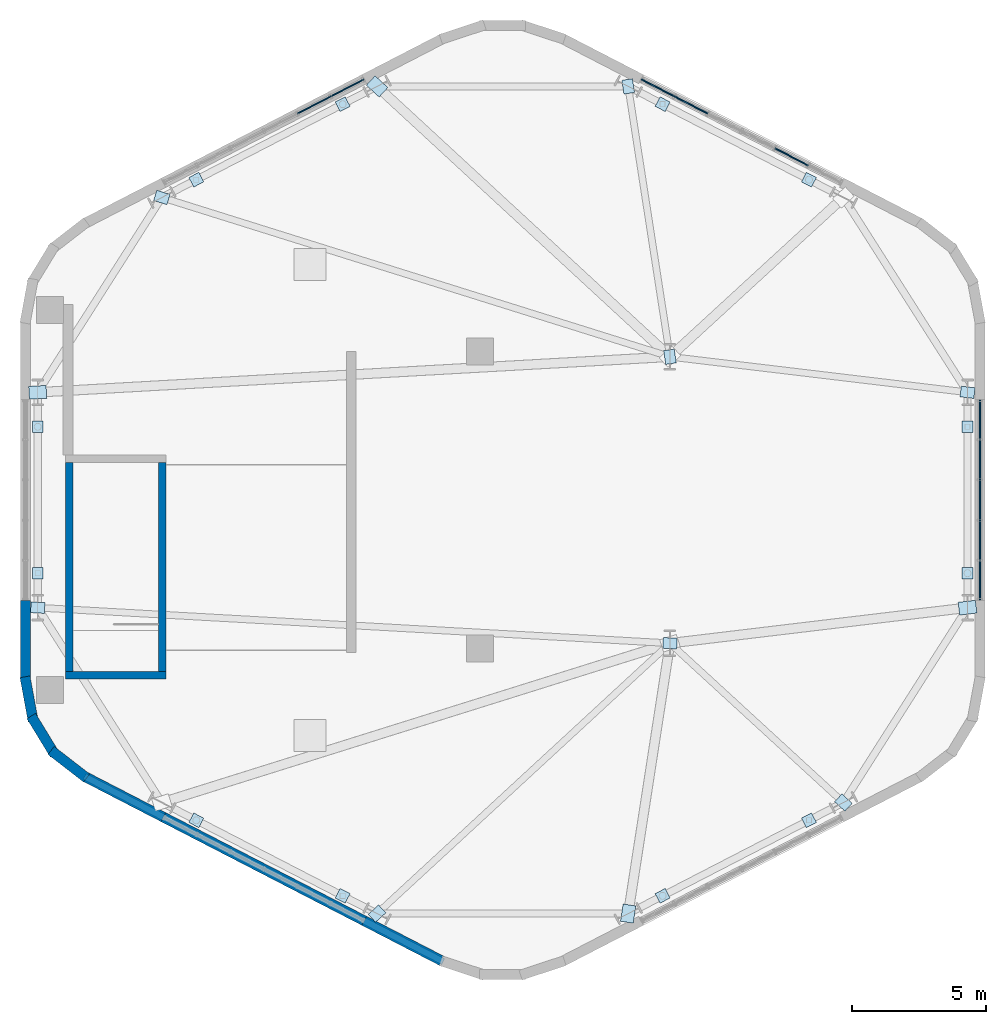
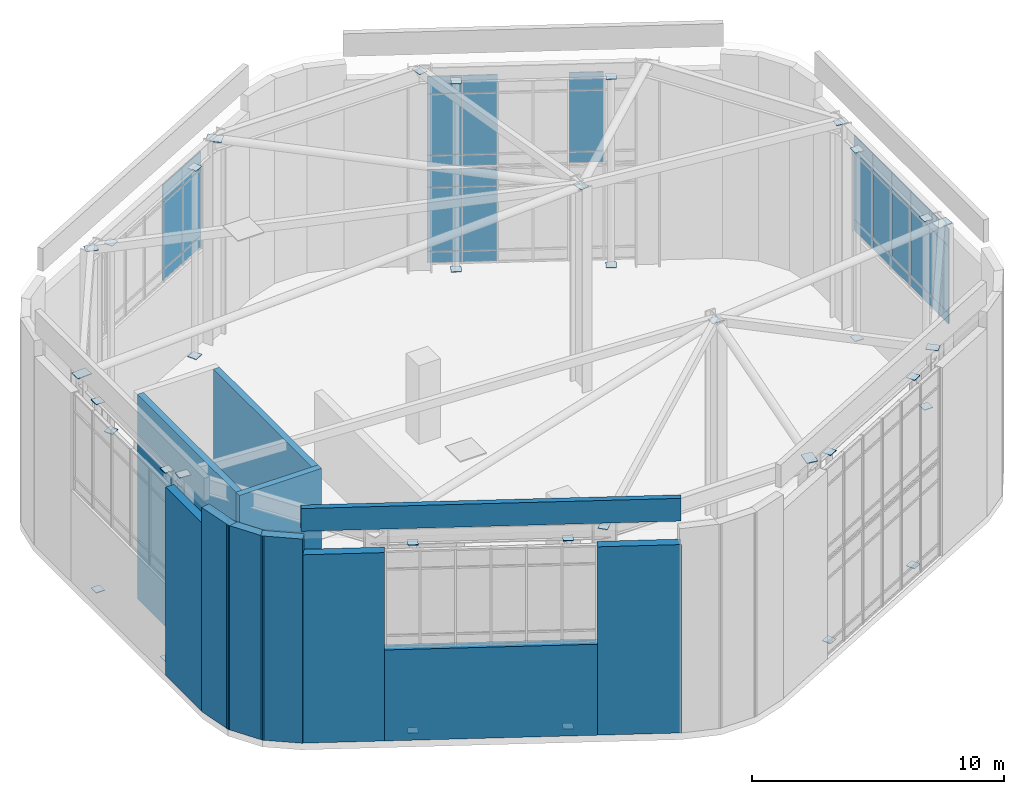
# One storey, part 21 of 23: 72 plates, 11 walls, 4 elements without a shape of their own.
"""IFC4 building model written with IfcOpenShell, lengths in metres."""

import ifcopenshell
import ifcopenshell.guid

model = None  # the IFC model being written
_history = None  # IfcOwnerHistory: only IFC2X3 demands one
_inside = {}  # id of a spatial element -> (the spatial element, [elements in it])
_under = {}  # id of a project, library or spatial element -> (it, [spatial elements below it])
_declared = {}  # id of a project -> (the project, [libraries it declares])
_typed = {}  # id of a type object -> (the type object, [elements of that type])
_made_of = {}  # id of a material, layer set ... -> (it, [elements and type objects made of it])


def new_model(schema):
    """Start an empty IFC model of exactly this schema.

    Asked for "IFC4X3", IfcOpenShell would pick the latest addendum, in which some entities
    have other attributes; the version numbers below select the first issue.
    IFC2X3 requires an IfcOwnerHistory on every rooted entity: one is made here for all.
    """
    global model, _history
    if schema == "IFC4X3":
        model = ifcopenshell.file(schema_version=(4, 3, 0, 0))
    else:
        model = ifcopenshell.file(schema=schema)
    _inside.clear()
    _under.clear()
    _declared.clear()
    _typed.clear()
    _made_of.clear()
    _history = None
    if model.schema == "IFC2X3":
        org = make("IfcOrganization", Name="unknown")
        user = make(
            "IfcPersonAndOrganization",
            ThePerson=make("IfcPerson", FamilyName="unknown"),
            TheOrganization=org,
        )
        app = make(
            "IfcApplication",
            ApplicationDeveloper=org,
            Version="unknown",
            ApplicationFullName="unknown",
            ApplicationIdentifier="unknown",
        )
        _history = make(
            "IfcOwnerHistory",
            OwningUser=user,
            OwningApplication=app,
            ChangeAction="ADDED",
            CreationDate=0,
        )
    return model


def make(cls, **values):
    """One entity of the class cls with the attributes given. An attribute that is None is left unset."""
    return model.create_entity(
        cls, **{name: value for name, value in values.items() if value is not None}
    )


def rooted(cls, **values):
    """An entity with a GlobalId (a new one), such as an element, a storey or a relation."""
    return make(cls, GlobalId=ifcopenshell.guid.new(), OwnerHistory=_history, **values)


def si_unit(unit_type, name, prefix=None):
    """IfcSIUnit, for example si_unit("LENGTHUNIT", "METRE", prefix="MILLI")."""
    return make("IfcSIUnit", UnitType=unit_type, Prefix=prefix, Name=name)


def assignment(units):
    """IfcUnitAssignment: the units of a project."""
    return None if units is None else make("IfcUnitAssignment", Units=units)


def point(xyz):
    """IfcCartesianPoint."""
    return None if xyz is None else make("IfcCartesianPoint", Coordinates=xyz)


def direction(xyz):
    """IfcDirection."""
    return None if xyz is None else make("IfcDirection", DirectionRatios=xyz)


def frame(location, z_axis=None, x_axis=None):
    """IfcAxis2Placement3D, a coordinate frame: its origin and axes. An axis left out is left unset."""
    return make(
        "IfcAxis2Placement3D",
        Location=point(location),
        Axis=direction(z_axis),
        RefDirection=direction(x_axis),
    )


def frame_2d(location, x_axis=None):
    """IfcAxis2Placement2D, a coordinate frame in the plane: its origin and x axis."""
    return make(
        "IfcAxis2Placement2D", Location=point(location), RefDirection=direction(x_axis)
    )


def origin():
    """The frame at (0, 0, 0) with its axes left unset."""
    return frame((0.0, 0.0, 0.0))


def origin_2d():
    """The frame at (0, 0) in the plane with its x axis left unset."""
    return frame_2d((0.0, 0.0))


def place(relative_to, where):
    """IfcLocalPlacement: puts the frame where relative to a parent placement (None: the world)."""
    return make(
        "IfcLocalPlacement", PlacementRelTo=relative_to, RelativePlacement=where
    )


def context(
    kind, dimensions, precision=None, world=None, true_north=None, identifier=None
):
    """IfcGeometricRepresentationContext, for example the 3D "Model" context."""
    return make(
        "IfcGeometricRepresentationContext",
        ContextIdentifier=identifier,
        ContextType=kind,
        CoordinateSpaceDimension=dimensions,
        Precision=precision,
        WorldCoordinateSystem=world,
        TrueNorth=true_north,
    )


def subcontext(parent, identifier, kind, view, scale=None):
    """IfcGeometricRepresentationSubContext, for example "Body" below "Model"."""
    return make(
        "IfcGeometricRepresentationSubContext",
        ContextIdentifier=identifier,
        ContextType=kind,
        ParentContext=parent,
        TargetScale=scale,
        TargetView=view,
    )


def project(units=None, contexts=None):
    """IfcProject with its units and contexts."""
    return rooted(
        "IfcProject",
        Name="project",
        RepresentationContexts=contexts,
        UnitsInContext=assignment(units),
    )


def spatial(cls, under=None, at=None, **own):
    """A site, building, storey or space (cls), placed at a placement, below another one or the project."""
    s = rooted(cls, ObjectPlacement=at, **own)
    if under is not None:
        _under.setdefault(under.id(), (under, []))[1].append(s)
    return s


def profile(cls, at=None, kind="AREA", **sizes):
    """A parametric profile (cls). Its sizes go by their IFC names, for example OverallWidth=200.0."""
    return make(cls, ProfileType=kind, Position=at, **sizes)


def rectangle(**sizes):
    """IfcRectangleProfileDef."""
    return profile("IfcRectangleProfileDef", **sizes)


def extrude(swept, where, along, depth):
    """IfcExtrudedAreaSolid: the profile swept, set in the frame where, extruded along a direction by depth."""
    return make(
        "IfcExtrudedAreaSolid",
        SweptArea=swept,
        Position=where,
        ExtrudedDirection=direction(along),
        Depth=depth,
    )


def shape(context_of_items, identifier, shape_type, items):
    """IfcShapeRepresentation: the items that make up one representation, for example the "Body"."""
    return make(
        "IfcShapeRepresentation",
        ContextOfItems=context_of_items,
        RepresentationIdentifier=identifier,
        RepresentationType=shape_type,
        Items=items,
    )


def material(Name=None, Category=None):
    """IfcMaterial."""
    return make("IfcMaterial", Name=Name, Category=Category)


def layer(
    of_material, thickness, ventilated=None, Name=None, Category=None, Priority=None
):
    """IfcMaterialLayer: one layer of a wall or slab, of a material (None: an air gap)."""
    return make(
        "IfcMaterialLayer",
        Material=of_material,
        LayerThickness=thickness,
        IsVentilated=ventilated,
        Name=Name,
        Category=Category,
        Priority=Priority,
    )


def layer_set(layers, Name=None):
    """IfcMaterialLayerSet."""
    return make("IfcMaterialLayerSet", MaterialLayers=layers, LayerSetName=Name)


def made_of(thing, what):
    """Note that an element or type object is made of a material, layer set ...; save() writes the relation."""
    if what is not None:
        _made_of.setdefault(what.id(), (what, []))[1].append(thing)
    return thing


def type_object(cls, material=None, **own):
    """A type object (cls), such as IfcWallType, which elements share."""
    return made_of(rooted(cls, **own), material)


def element(
    cls,
    number,
    at=None,
    inside=None,
    cuts=None,
    type_object=None,
    material=None,
    context=None,
    identifier="Body",
    shape_type=None,
    held_by="IfcProductDefinitionShape",
    body=None,
    shapes=None,
    **own,
):
    """One element of the class cls, such as IfcWall. Its Tag is "e" and its number.

    at: its placement. inside: the storey or other place that contains it. cuts: it is an
    opening in that element (IfcRelVoidsElement). A single representation is given by context,
    identifier, shape_type and body (its items); several are given by shapes. held_by: the class
    of the entity that holds the representations. save() writes the other relations.
    """
    e = rooted(cls, Tag="e%d" % number, ObjectPlacement=at, **own)
    if body is not None:
        shapes = [shape(context, identifier, shape_type, body)]
    if shapes is not None:
        e.Representation = make(held_by, Representations=shapes)
    if inside is not None:
        _inside.setdefault(inside.id(), (inside, []))[1].append(e)
    if cuts is not None:
        rooted(
            "IfcRelVoidsElement", RelatingBuildingElement=cuts, RelatedOpeningElement=e
        )
    if type_object is not None:
        _typed.setdefault(type_object.id(), (type_object, []))[1].append(e)
    return made_of(e, material)


def aggregate(whole, parts):
    """IfcRelAggregates: a whole, such as a stair, and the parts it consists of."""
    return rooted("IfcRelAggregates", RelatingObject=whole, RelatedObjects=parts)


def save(model, path):
    """Write the relations noted so far, then the file.

    IfcRelAggregates (storeys below a building ...), IfcRelContainedInSpatialStructure (elements
    in a storey), IfcRelDefinesByType, IfcRelAssociatesMaterial and IfcRelDeclares: one each for
    every whole, place, type object, material and project.
    """
    for whole, parts in _under.values():
        aggregate(whole, parts)
    for where, things in _inside.values():
        rooted(
            "IfcRelContainedInSpatialStructure",
            RelatedElements=things,
            RelatingStructure=where,
        )
    for kind, things in _typed.values():
        rooted("IfcRelDefinesByType", RelatedObjects=things, RelatingType=kind)
    for what, things in _made_of.values():
        rooted("IfcRelAssociatesMaterial", RelatedObjects=things, RelatingMaterial=what)
    for by, libraries in _declared.values():
        rooted("IfcRelDeclares", RelatingContext=by, RelatedDefinitions=libraries)
    model.write(path)


model = new_model("IFC4")

# Units and contexts
model_context = context("Model", 3, precision=1e-05, world=origin(), true_north=direction((0.0, 1.0)))
body_context = subcontext(model_context, "Body", "Model", "MODEL_VIEW")
ifc_project = project(units=[si_unit("LENGTHUNIT", "METRE"), si_unit("AREAUNIT", "SQUARE_METRE"), si_unit("VOLUMEUNIT", "CUBIC_METRE"), si_unit("PLANEANGLEUNIT", "RADIAN"), si_unit("MASSUNIT", "GRAM", prefix="KILO"), si_unit("THERMODYNAMICTEMPERATUREUNIT", "KELVIN"), si_unit("POWERUNIT", "WATT")], contexts=[model_context])

# Site, building, storey
site_placement = place(None, origin())
site = spatial("IfcSite", under=ifc_project, at=site_placement, CompositionType="ELEMENT")
building_placement = place(site_placement, origin())
building = spatial("IfcBuilding", under=site, at=building_placement, Name="Skarre Station Tower", CompositionType="ELEMENT")
storey_placement = place(building_placement, frame((0.0, 0.0, 291.300048828125)))
storey = spatial("IfcBuildingStorey", under=building, at=storey_placement, Name="RF", CompositionType="ELEMENT", Elevation=291.300048828125)

# Plates
ifc_material_1 = material(Name="Steel ASTM A572 Grade 50", Category="steel")
ifc_layer_1 = layer(ifc_material_1, 0.028076171875, Name="Steel ASTM A572 Grade 50")
ifc_layer_set_1 = layer_set([ifc_layer_1], Name="Steel ASTM A572 Grade 50")
plate_type_1 = type_object("IfcPlateType", Name="Belt Truss End Cap Plate 520x400x28", PredefinedType="USERDEFINED", material=ifc_layer_set_1)
for number, where, z_axis, x_axis, name in (
    (1, (44.64111328125, 35.9619140625, 0.0), (0.0, 0.0, 1.0), (-0.888601222224, 0.458680572798, 0.0), "RF Crown Post Base Plate 1A"),
    (2, (44.64111328125, 35.9619140625, 9.10595703125), (0.0, 0.0, 1.0), (-0.888601222224, 0.458680572798, 0.0), "RF Crown Post Head Plate 1A"),
    (3, (39.175048828125, 38.782958984375, 0.0), (0.0, 0.0, 1.0), (-0.888601222224, 0.458680572798, 0.0), "RF Crown Post Base Plate 1B"),
    (4, (39.175048828125, 38.782958984375, 9.10595703125), (0.0, 0.0, 1.0), (-0.888601222224, 0.458680572798, 0.0), "RF Crown Post Head Plate 1B"),
    (5, (27.22509765625, 38.782958984375, 0.0), (0.0, 0.0, 1.0), (-0.888601222224, -0.458680572798, 0.0), "RF Crown Post Base Plate 3A"),
    (6, (27.22509765625, 38.782958984375, 9.10595703125), (0.0, 0.0, 1.0), (-0.888601222224, -0.458680572798, 0.0), "RF Crown Post Head Plate 3A"),
    (7, (21.759033203125, 35.9619140625, 0.0), (0.0, 0.0, 1.0), (-0.888601222224, -0.458680572798, 0.0), "RF Crown Post Base Plate 3B"),
    (8, (21.759033203125, 35.9619140625, 9.10595703125), (0.0, 0.0, 1.0), (-0.888601222224, -0.458680572798, 0.0), "RF Crown Post Head Plate 3B"),
    (9, (15.8369140625, 26.73388671875, 0.0), (0.0, 0.0, 1.0), (0.0, -1.0, 0.0), "RF Crown Post Base Plate 5A"),
    (10, (15.8369140625, 26.73388671875, 9.10595703125), (0.0, 0.0, 1.0), (0.0, -1.0, 0.0), "RF Crown Post Head Plate 5A"),
    (11, (15.8369140625, 21.26611328125, 0.0), (0.0, 0.0, 1.0), (0.0, -1.0, 0.0), "RF Crown Post Base Plate 5B"),
    (12, (15.8369140625, 21.26611328125, 9.10595703125), (0.0, 0.0, 1.0), (0.0, -1.0, 0.0), "RF Crown Post Head Plate 5B"),
    (13, (21.759033203125, 12.0380859375, 0.0), (0.0, 0.0, 1.0), (0.888601222224, -0.458680572798, 0.0), "RF Crown Post Base Plate 7A"),
    (14, (21.759033203125, 12.0380859375, 9.10595703125), (0.0, 0.0, 1.0), (0.888601222224, -0.458680572798, 0.0), "RF Crown Post Head Plate 7A"),
    (15, (27.22509765625, 9.217041015625, 0.0), (0.0, 0.0, 1.0), (0.888601222224, -0.458680572798, 0.0), "RF Crown Post Base Plate 7B"),
    (16, (27.22509765625, 9.217041015625, 9.10595703125), (0.0, 0.0, 1.0), (0.888601222224, -0.458680572798, 0.0), "RF Crown Post Head Plate 7B"),
    (17, (39.175048828125, 9.217041015625, 0.0), (0.0, 0.0, 1.0), (0.888601222224, 0.458680572798, 0.0), "RF Crown Post Base Plate 9A"),
    (18, (39.175048828125, 9.217041015625, 9.10595703125), (0.0, 0.0, 1.0), (0.888601222224, 0.458680572798, 0.0), "RF Crown Post Head Plate 9A"),
    (19, (44.64111328125, 12.0380859375, 0.0), (0.0, 0.0, 1.0), (0.888601222224, 0.458680572798, 0.0), "RF Crown Post Base Plate 9B"),
    (20, (44.64111328125, 12.0380859375, 9.10595703125), (0.0, 0.0, 1.0), (0.888601222224, 0.458680572798, 0.0), "RF Crown Post Head Plate 9B"),
    (21, (50.56298828125, 21.26611328125, 0.0), (0.0, 0.0, 1.0), (0.0, 1.0, 0.0), "RF Crown Post Base Plate 11A"),
    (22, (50.56298828125, 21.26611328125, 9.10595703125), (0.0, 0.0, 1.0), (0.0, 1.0, 0.0), "RF Crown Post Head Plate 11A"),
    (23, (50.56298828125, 26.73388671875, 0.0), (0.0, 0.0, 1.0), (0.0, 1.0, 0.0), "RF Crown Post Base Plate 11B"),
    (24, (50.56298828125, 26.73388671875, 9.10595703125), (0.0, 0.0, 1.0), (0.0, 1.0, 0.0), "RF Crown Post Head Plate 11B"),
):
    element("IfcPlate", number, at=place(storey_placement, frame(where, z_axis=z_axis, x_axis=x_axis)), inside=storey, type_object=plate_type_1, Name=name, ObjectType="STIFFENER_PLATE", PredefinedType="USERDEFINED", context=body_context, shape_type="SweptSolid", body=[
        extrude(rectangle(XDim=0.419921875, YDim=0.39990234375, at=origin_2d()), origin(), (0.0, 0.0, 1.0), 0.028076171875),
    ])
for number, where, z_axis, x_axis, name in (
    (25, (39.449951171875, 29.35009765625, 9.666015625), (0.0, 0.0, 1.0), (-0.152778858862, 0.988260401051, 0.0), "RF Crown Purlin Spine Plate 2"),
    (26, (37.888916015625, 39.447021484375, 9.666015625), (0.0, 0.0, 1.0), (-0.152778858862, 0.988260401051, 0.0), "RF Crown Purlin Perimeter Plate 2"),
    (27, (20.472900390625, 35.298095703125, 9.666015625), (0.0, 0.0, 1.0), (-0.954224669469, 0.299090755753, 0.0), "RF Crown Purlin Perimeter Plate 4"),
    (28, (39.449951171875, 18.64990234375, 9.666015625), (0.0, 0.0, 1.0), (-0.998420237469, 0.056187448889, 0.0), "RF Crown Purlin Spine Plate 6"),
    (29, (15.8369140625, 19.97900390625, 9.666015625), (0.0, 0.0, 1.0), (-0.998420237469, 0.056187448889, 0.0), "RF Crown Purlin Perimeter Plate 6"),
    (30, (28.510986328125, 8.552978515625, 9.666015625), (0.0, 0.0, 1.0), (-0.734819899034, -0.678262276692, 0.0), "RF Crown Purlin Perimeter Plate 8"),
    (31, (45.927001953125, 12.701904296875, 9.666015625), (0.0, 0.0, 1.0), (0.736545846338, -0.676387622775, 0.0), "RF Crown Purlin Perimeter Plate 10"),
    (32, (50.56298828125, 28.02099609375, 9.666015625), (0.0, 0.0, 1.0), (0.992924116831, -0.118750571435, 0.0), "RF Crown Purlin Perimeter Plate 12"),
):
    element("IfcPlate", number, at=place(storey_placement, frame(where, z_axis=z_axis, x_axis=x_axis)), inside=storey, type_object=plate_type_1, Name=name, ObjectType="STIFFENER_PLATE", PredefinedType="USERDEFINED", context=body_context, shape_type="SweptSolid", body=[
        extrude(rectangle(XDim=0.52001953125, YDim=0.39990234375, at=origin_2d()), origin(), (0.0, 0.0, 1.0), 0.028076171875),
    ])

# Curtain wall, plates
ifc_material_2 = material(Name="Thermally Broken Bronze-Anodized Aluminium & Triple Low-E Glass", Category="aluminium")
ifc_layer_2 = layer(ifc_material_2, 0.179931640625, Name="Thermally Broken Bronze-Anodized Aluminium & Triple Low-E Glass")
ifc_layer_set_2 = layer_set([ifc_layer_2], Name="Thermally Broken Bronze-Anodized Aluminium & Triple Low-E Glass")
curtain_wall_type = type_object("IfcCurtainWallType", Name="Nordic Bronze Crown Lantern Stick Curtain Wall", PredefinedType="NOTDEFINED", material=ifc_layer_set_2)
curtain_wall_1_placement = place(storey_placement, origin())
curtain_wall_1 = element("IfcCurtainWall", 33, at=curtain_wall_1_placement, inside=storey, type_object=curtain_wall_type, Name="RF Crown Lantern Lower Facet 0 Curtain Wall", PredefinedType="NOTDEFINED")
ifc_material_3 = material(Name="Insulated Bronze Anodized Aluminium Spandrel", Category="aluminium")
ifc_layer_3 = layer(ifc_material_3, 0.052001953125, Name="Insulated Bronze Anodized Aluminium Spandrel")
ifc_layer_set_3 = layer_set([ifc_layer_3], Name="Insulated Bronze Anodized Aluminium Spandrel")
plate_type_2 = type_object("IfcPlateType", Name="Bronze Insulated Spandrel Sheet Panel 52", PredefinedType="SHEET", material=ifc_layer_set_3)
plate_1_placement = place(storey_placement, frame((38.992919921875, 39.39404296875, 0.05224609375), z_axis=(0.0, 0.0, 1.0), x_axis=(0.888649250269, -0.458587516181, 0.0)))
plate_1 = element("IfcPlate", 34, at=plate_1_placement, type_object=plate_type_2, Name="RF Crown Lantern Lower Facet 0 Curtain Wall Spandrel Panel 1-1", PredefinedType="SHEET", context=body_context, shape_type="SweptSolid", body=[
    extrude(rectangle(XDim=1.383056640625, YDim=0.052001953125, at=origin_2d()), origin(), (0.0, 0.0, 1.0), 0.535888671875),
])
plate_2_placement = place(storey_placement, frame((40.243896484375, 38.7490234375, 0.05224609375), z_axis=(0.0, 0.0, 1.0), x_axis=(0.888649250269, -0.458587516181, 0.0)))
plate_2 = element("IfcPlate", 35, at=plate_2_placement, type_object=plate_type_2, Name="RF Crown Lantern Lower Facet 0 Curtain Wall Spandrel Panel 2-1", PredefinedType="SHEET", context=body_context, shape_type="SweptSolid", body=[
    extrude(rectangle(XDim=1.383056640625, YDim=0.052001953125, at=origin_2d()), origin(), (0.0, 0.0, 1.0), 0.535888671875),
])

curtain_wall_2_placement = place(storey_placement, origin())
curtain_wall_2 = element("IfcCurtainWall", 36, at=curtain_wall_2_placement, inside=storey, type_object=curtain_wall_type, Name="RF Crown Lantern Upper Facet 0 Curtain Wall", PredefinedType="NOTDEFINED")
plate_3_placement = place(storey_placement, frame((38.992919921875, 39.39404296875, 4.7021484375), z_axis=(0.0, 0.0, 1.0), x_axis=(0.888649250269, -0.458587516181, 0.0)))
plate_3 = element("IfcPlate", 37, at=plate_3_placement, type_object=plate_type_2, Name="RF Crown Lantern Upper Facet 0 Curtain Wall Spandrel Panel 1-1", PredefinedType="SHEET", context=body_context, shape_type="SweptSolid", body=[
    extrude(rectangle(XDim=1.383056640625, YDim=0.052001953125, at=origin_2d()), origin(), (0.0, 0.0, 1.0), 0.535888671875),
])
plate_4_placement = place(storey_placement, frame((40.243896484375, 38.7490234375, 4.7021484375), z_axis=(0.0, 0.0, 1.0), x_axis=(0.888649250269, -0.458587516181, 0.0)))
plate_4 = element("IfcPlate", 38, at=plate_4_placement, type_object=plate_type_2, Name="RF Crown Lantern Upper Facet 0 Curtain Wall Spandrel Panel 2-1", PredefinedType="SHEET", context=body_context, shape_type="SweptSolid", body=[
    extrude(rectangle(XDim=1.383056640625, YDim=0.052001953125, at=origin_2d()), origin(), (0.0, 0.0, 1.0), 0.535888671875),
])
plate_5_placement = place(storey_placement, frame((43.9951171875, 36.81298828125, 4.7021484375), z_axis=(0.0, 0.0, 1.0), x_axis=(0.888649250269, -0.458587516181, 0.0)))
plate_5 = element("IfcPlate", 39, at=plate_5_placement, type_object=plate_type_2, Name="RF Crown Lantern Upper Facet 0 Curtain Wall Spandrel Panel 5-1", PredefinedType="SHEET", context=body_context, shape_type="SweptSolid", body=[
    extrude(rectangle(XDim=1.383056640625, YDim=0.052001953125, at=origin_2d()), origin(), (0.0, 0.0, 1.0), 0.535888671875),
])

curtain_wall_3_placement = place(storey_placement, origin())
curtain_wall_3 = element("IfcCurtainWall", 40, at=curtain_wall_3_placement, inside=storey, type_object=curtain_wall_type, Name="RF Crown Lantern Facet 1 Curtain Wall", PredefinedType="NOTDEFINED")
plate_6_placement = place(storey_placement, frame((26.156005859375, 38.7490234375, 4.4521484375), z_axis=(0.0, 0.0, 1.0), x_axis=(0.888649250269, 0.458587516181, 0.0)))
plate_6 = element("IfcPlate", 41, at=plate_6_placement, type_object=plate_type_2, Name="RF Crown Lantern Facet 1 Curtain Wall Spandrel Panel 5-1", PredefinedType="SHEET", context=body_context, shape_type="SweptSolid", body=[
    extrude(rectangle(XDim=1.383056640625, YDim=0.052001953125, at=origin_2d()), origin(), (0.0, 0.0, 1.0), 0.535888671875),
])
plate_7_placement = place(storey_placement, frame((27.406982421875, 39.39404296875, 4.4521484375), z_axis=(0.0, 0.0, 1.0), x_axis=(0.888649250269, 0.458587516181, 0.0)))
plate_7 = element("IfcPlate", 42, at=plate_7_placement, type_object=plate_type_2, Name="RF Crown Lantern Facet 1 Curtain Wall Spandrel Panel 6-1", PredefinedType="SHEET", context=body_context, shape_type="SweptSolid", body=[
    extrude(rectangle(XDim=1.383056640625, YDim=0.052001953125, at=origin_2d()), origin(), (0.0, 0.0, 1.0), 0.535888671875),
])

curtain_wall_4_placement = place(storey_placement, origin())
curtain_wall_4 = element("IfcCurtainWall", 43, at=curtain_wall_4_placement, inside=storey, type_object=curtain_wall_type, Name="RF Crown Lantern Facet 5 Curtain Wall", PredefinedType="NOTDEFINED")
plate_8_placement = place(storey_placement, frame((51.02294921875, 27.001953125, 4.4521484375), z_axis=(0.0, 0.0, 1.0), x_axis=(0.0, -1.0, 0.0)))
plate_8 = element("IfcPlate", 44, at=plate_8_placement, type_object=plate_type_2, Name="RF Crown Lantern Facet 5 Curtain Wall Spandrel Panel 1-1", PredefinedType="SHEET", context=body_context, shape_type="SweptSolid", body=[
    extrude(rectangle(XDim=1.47705078125, YDim=0.052001953125, at=origin_2d()), origin(), (0.0, 0.0, 1.0), 0.535888671875),
])
plate_9_placement = place(storey_placement, frame((51.02294921875, 25.5009765625, 4.4521484375), z_axis=(0.0, 0.0, 1.0), x_axis=(0.0, -1.0, 0.0)))
plate_9 = element("IfcPlate", 45, at=plate_9_placement, type_object=plate_type_2, Name="RF Crown Lantern Facet 5 Curtain Wall Spandrel Panel 2-1", PredefinedType="SHEET", context=body_context, shape_type="SweptSolid", body=[
    extrude(rectangle(XDim=1.47705078125, YDim=0.052001953125, at=origin_2d()), origin(), (0.0, 0.0, 1.0), 0.535888671875),
])
plate_10_placement = place(storey_placement, frame((51.02294921875, 24.0, 4.4521484375), z_axis=(0.0, 0.0, 1.0), x_axis=(0.0, -1.0, 0.0)))
plate_10 = element("IfcPlate", 46, at=plate_10_placement, type_object=plate_type_2, Name="RF Crown Lantern Facet 5 Curtain Wall Spandrel Panel 3-1", PredefinedType="SHEET", context=body_context, shape_type="SweptSolid", body=[
    extrude(rectangle(XDim=1.47705078125, YDim=0.052001953125, at=origin_2d()), origin(), (0.0, 0.0, 1.0), 0.535888671875),
])
plate_11_placement = place(storey_placement, frame((51.02294921875, 22.4990234375, 4.4521484375), z_axis=(0.0, 0.0, 1.0), x_axis=(0.0, -1.0, 0.0)))
plate_11 = element("IfcPlate", 47, at=plate_11_placement, type_object=plate_type_2, Name="RF Crown Lantern Facet 5 Curtain Wall Spandrel Panel 4-1", PredefinedType="SHEET", context=body_context, shape_type="SweptSolid", body=[
    extrude(rectangle(XDim=1.47705078125, YDim=0.052001953125, at=origin_2d()), origin(), (0.0, 0.0, 1.0), 0.535888671875),
])
plate_12_placement = place(storey_placement, frame((51.02294921875, 20.998046875, 4.4521484375), z_axis=(0.0, 0.0, 1.0), x_axis=(0.0, -1.0, 0.0)))
plate_12 = element("IfcPlate", 48, at=plate_12_placement, type_object=plate_type_2, Name="RF Crown Lantern Facet 5 Curtain Wall Spandrel Panel 5-1", PredefinedType="SHEET", context=body_context, shape_type="SweptSolid", body=[
    extrude(rectangle(XDim=1.47705078125, YDim=0.052001953125, at=origin_2d()), origin(), (0.0, 0.0, 1.0), 0.535888671875),
])

# Plate
ifc_material_4 = material(Name="Low-Iron Triple Insulating Glass Unit", Category="glass")
ifc_layer_4 = layer(ifc_material_4, 0.0439453125, Name="Low-Iron Triple Insulating Glass Unit")
ifc_layer_set_4 = layer_set([ifc_layer_4], Name="Low-Iron Triple Insulating Glass Unit")
plate_type_3 = type_object("IfcPlateType", Name="Triple-Glazed Vision Curtain Panel 44", PredefinedType="CURTAIN_PANEL", material=ifc_layer_set_4)
plate_13_placement = place(storey_placement, frame((38.992919921875, 39.39404296875, 0.61181640625), z_axis=(0.0, 0.0, 1.0), x_axis=(0.888649250269, -0.458587516181, 0.0)))
plate_13 = element("IfcPlate", 49, at=plate_13_placement, type_object=plate_type_3, Name="RF Crown Lantern Lower Facet 0 Curtain Wall Vision Panel 1-2", PredefinedType="CURTAIN_PANEL", context=body_context, shape_type="SweptSolid", body=[
    extrude(rectangle(XDim=1.383056640625, YDim=0.0439453125, at=origin_2d()), origin(), (0.0, 0.0, 1.0), 3.075927734375),
])

plate_14_placement = place(storey_placement, frame((38.992919921875, 39.39404296875, 3.7119140625), z_axis=(0.0, 0.0, 1.0), x_axis=(0.888649250269, -0.458587516181, 0.0)))
plate_14 = element("IfcPlate", 50, at=plate_14_placement, type_object=plate_type_3, Name="RF Crown Lantern Lower Facet 0 Curtain Wall Vision Panel 1-3", PredefinedType="CURTAIN_PANEL", context=body_context, shape_type="SweptSolid", body=[
    extrude(rectangle(XDim=1.383056640625, YDim=0.0439453125, at=origin_2d()), origin(), (0.0, 0.0, 1.0), 0.8359375),
])

plate_15_placement = place(storey_placement, frame((40.243896484375, 38.7490234375, 0.61181640625), z_axis=(0.0, 0.0, 1.0), x_axis=(0.888649250269, -0.458587516181, 0.0)))
plate_15 = element("IfcPlate", 51, at=plate_15_placement, type_object=plate_type_3, Name="RF Crown Lantern Lower Facet 0 Curtain Wall Vision Panel 2-2", PredefinedType="CURTAIN_PANEL", context=body_context, shape_type="SweptSolid", body=[
    extrude(rectangle(XDim=1.383056640625, YDim=0.0439453125, at=origin_2d()), origin(), (0.0, 0.0, 1.0), 3.075927734375),
])

plate_16_placement = place(storey_placement, frame((40.243896484375, 38.7490234375, 3.7119140625), z_axis=(0.0, 0.0, 1.0), x_axis=(0.888649250269, -0.458587516181, 0.0)))
plate_16 = element("IfcPlate", 52, at=plate_16_placement, type_object=plate_type_3, Name="RF Crown Lantern Lower Facet 0 Curtain Wall Vision Panel 2-3", PredefinedType="CURTAIN_PANEL", context=body_context, shape_type="SweptSolid", body=[
    extrude(rectangle(XDim=1.383056640625, YDim=0.0439453125, at=origin_2d()), origin(), (0.0, 0.0, 1.0), 0.8359375),
])

aggregate(curtain_wall_1, [plate_1, plate_13, plate_14, plate_2, plate_15, plate_16])

plate_17_placement = place(storey_placement, frame((38.992919921875, 39.39404296875, 5.261962890625), z_axis=(0.0, 0.0, 1.0), x_axis=(0.888649250269, -0.458587516181, 0.0)))
plate_17 = element("IfcPlate", 53, at=plate_17_placement, type_object=plate_type_3, Name="RF Crown Lantern Upper Facet 0 Curtain Wall Vision Panel 1-2", PredefinedType="CURTAIN_PANEL", context=body_context, shape_type="SweptSolid", body=[
    extrude(rectangle(XDim=1.383056640625, YDim=0.0439453125, at=origin_2d()), origin(), (0.0, 0.0, 1.0), 2.93603515625),
])

plate_18_placement = place(storey_placement, frame((38.992919921875, 39.39404296875, 8.221923828125), z_axis=(0.0, 0.0, 1.0), x_axis=(0.888649250269, -0.458587516181, 0.0)))
plate_18 = element("IfcPlate", 54, at=plate_18_placement, type_object=plate_type_3, Name="RF Crown Lantern Upper Facet 0 Curtain Wall Vision Panel 1-3", PredefinedType="CURTAIN_PANEL", context=body_context, shape_type="SweptSolid", body=[
    extrude(rectangle(XDim=1.383056640625, YDim=0.0439453125, at=origin_2d()), origin(), (0.0, 0.0, 1.0), 0.8359375),
])

plate_19_placement = place(storey_placement, frame((40.243896484375, 38.7490234375, 5.261962890625), z_axis=(0.0, 0.0, 1.0), x_axis=(0.888649250269, -0.458587516181, 0.0)))
plate_19 = element("IfcPlate", 55, at=plate_19_placement, type_object=plate_type_3, Name="RF Crown Lantern Upper Facet 0 Curtain Wall Vision Panel 2-2", PredefinedType="CURTAIN_PANEL", context=body_context, shape_type="SweptSolid", body=[
    extrude(rectangle(XDim=1.383056640625, YDim=0.0439453125, at=origin_2d()), origin(), (0.0, 0.0, 1.0), 2.93603515625),
])

plate_20_placement = place(storey_placement, frame((40.243896484375, 38.7490234375, 8.221923828125), z_axis=(0.0, 0.0, 1.0), x_axis=(0.888649250269, -0.458587516181, 0.0)))
plate_20 = element("IfcPlate", 56, at=plate_20_placement, type_object=plate_type_3, Name="RF Crown Lantern Upper Facet 0 Curtain Wall Vision Panel 2-3", PredefinedType="CURTAIN_PANEL", context=body_context, shape_type="SweptSolid", body=[
    extrude(rectangle(XDim=1.383056640625, YDim=0.0439453125, at=origin_2d()), origin(), (0.0, 0.0, 1.0), 0.8359375),
])

plate_21_placement = place(storey_placement, frame((43.9951171875, 36.81298828125, 5.261962890625), z_axis=(0.0, 0.0, 1.0), x_axis=(0.888649250269, -0.458587516181, 0.0)))
plate_21 = element("IfcPlate", 57, at=plate_21_placement, type_object=plate_type_3, Name="RF Crown Lantern Upper Facet 0 Curtain Wall Vision Panel 5-2", PredefinedType="CURTAIN_PANEL", context=body_context, shape_type="SweptSolid", body=[
    extrude(rectangle(XDim=1.383056640625, YDim=0.0439453125, at=origin_2d()), origin(), (0.0, 0.0, 1.0), 2.93603515625),
])

plate_22_placement = place(storey_placement, frame((43.9951171875, 36.81298828125, 8.221923828125), z_axis=(0.0, 0.0, 1.0), x_axis=(0.888649250269, -0.458587516181, 0.0)))
plate_22 = element("IfcPlate", 58, at=plate_22_placement, type_object=plate_type_3, Name="RF Crown Lantern Upper Facet 0 Curtain Wall Vision Panel 5-3", PredefinedType="CURTAIN_PANEL", context=body_context, shape_type="SweptSolid", body=[
    extrude(rectangle(XDim=1.383056640625, YDim=0.0439453125, at=origin_2d()), origin(), (0.0, 0.0, 1.0), 0.8359375),
])

aggregate(curtain_wall_2, [plate_3, plate_17, plate_18, plate_4, plate_19, plate_20, plate_5, plate_21, plate_22])

plate_23_placement = place(storey_placement, frame((26.156005859375, 38.7490234375, 5.011962890625), z_axis=(0.0, 0.0, 1.0), x_axis=(0.888649250269, 0.458587516181, 0.0)))
plate_23 = element("IfcPlate", 59, at=plate_23_placement, type_object=plate_type_3, Name="RF Crown Lantern Facet 1 Curtain Wall Vision Panel 5-2", PredefinedType="CURTAIN_PANEL", context=body_context, shape_type="SweptSolid", body=[
    extrude(rectangle(XDim=1.383056640625, YDim=0.0439453125, at=origin_2d()), origin(), (0.0, 0.0, 1.0), 3.18603515625),
])

plate_24_placement = place(storey_placement, frame((26.156005859375, 38.7490234375, 8.221923828125), z_axis=(0.0, 0.0, 1.0), x_axis=(0.888649250269, 0.458587516181, 0.0)))
plate_24 = element("IfcPlate", 60, at=plate_24_placement, type_object=plate_type_3, Name="RF Crown Lantern Facet 1 Curtain Wall Vision Panel 5-3", PredefinedType="CURTAIN_PANEL", context=body_context, shape_type="SweptSolid", body=[
    extrude(rectangle(XDim=1.383056640625, YDim=0.0439453125, at=origin_2d()), origin(), (0.0, 0.0, 1.0), 0.8359375),
])

plate_25_placement = place(storey_placement, frame((27.406982421875, 39.39404296875, 5.011962890625), z_axis=(0.0, 0.0, 1.0), x_axis=(0.888649250269, 0.458587516181, 0.0)))
plate_25 = element("IfcPlate", 61, at=plate_25_placement, type_object=plate_type_3, Name="RF Crown Lantern Facet 1 Curtain Wall Vision Panel 6-2", PredefinedType="CURTAIN_PANEL", context=body_context, shape_type="SweptSolid", body=[
    extrude(rectangle(XDim=1.383056640625, YDim=0.0439453125, at=origin_2d()), origin(), (0.0, 0.0, 1.0), 3.18603515625),
])

plate_26_placement = place(storey_placement, frame((27.406982421875, 39.39404296875, 8.221923828125), z_axis=(0.0, 0.0, 1.0), x_axis=(0.888649250269, 0.458587516181, 0.0)))
plate_26 = element("IfcPlate", 62, at=plate_26_placement, type_object=plate_type_3, Name="RF Crown Lantern Facet 1 Curtain Wall Vision Panel 6-3", PredefinedType="CURTAIN_PANEL", context=body_context, shape_type="SweptSolid", body=[
    extrude(rectangle(XDim=1.383056640625, YDim=0.0439453125, at=origin_2d()), origin(), (0.0, 0.0, 1.0), 0.8359375),
])

aggregate(curtain_wall_3, [plate_6, plate_23, plate_24, plate_7, plate_25, plate_26])

plate_27_placement = place(storey_placement, frame((51.02294921875, 27.001953125, 5.011962890625), z_axis=(0.0, 0.0, 1.0), x_axis=(0.0, -1.0, 0.0)))
plate_27 = element("IfcPlate", 63, at=plate_27_placement, type_object=plate_type_3, Name="RF Crown Lantern Facet 5 Curtain Wall Vision Panel 1-2", PredefinedType="CURTAIN_PANEL", context=body_context, shape_type="SweptSolid", body=[
    extrude(rectangle(XDim=1.47705078125, YDim=0.0439453125, at=origin_2d()), origin(), (0.0, 0.0, 1.0), 3.18603515625),
])

plate_28_placement = place(storey_placement, frame((51.02294921875, 27.001953125, 8.221923828125), z_axis=(0.0, 0.0, 1.0), x_axis=(0.0, -1.0, 0.0)))
plate_28 = element("IfcPlate", 64, at=plate_28_placement, type_object=plate_type_3, Name="RF Crown Lantern Facet 5 Curtain Wall Vision Panel 1-3", PredefinedType="CURTAIN_PANEL", context=body_context, shape_type="SweptSolid", body=[
    extrude(rectangle(XDim=1.47705078125, YDim=0.0439453125, at=origin_2d()), origin(), (0.0, 0.0, 1.0), 0.8359375),
])

plate_29_placement = place(storey_placement, frame((51.02294921875, 25.5009765625, 5.011962890625), z_axis=(0.0, 0.0, 1.0), x_axis=(0.0, -1.0, 0.0)))
plate_29 = element("IfcPlate", 65, at=plate_29_placement, type_object=plate_type_3, Name="RF Crown Lantern Facet 5 Curtain Wall Vision Panel 2-2", PredefinedType="CURTAIN_PANEL", context=body_context, shape_type="SweptSolid", body=[
    extrude(rectangle(XDim=1.47705078125, YDim=0.0439453125, at=origin_2d()), origin(), (0.0, 0.0, 1.0), 3.18603515625),
])

plate_30_placement = place(storey_placement, frame((51.02294921875, 25.5009765625, 8.221923828125), z_axis=(0.0, 0.0, 1.0), x_axis=(0.0, -1.0, 0.0)))
plate_30 = element("IfcPlate", 66, at=plate_30_placement, type_object=plate_type_3, Name="RF Crown Lantern Facet 5 Curtain Wall Vision Panel 2-3", PredefinedType="CURTAIN_PANEL", context=body_context, shape_type="SweptSolid", body=[
    extrude(rectangle(XDim=1.47705078125, YDim=0.0439453125, at=origin_2d()), origin(), (0.0, 0.0, 1.0), 0.8359375),
])

plate_31_placement = place(storey_placement, frame((51.02294921875, 24.0, 5.011962890625), z_axis=(0.0, 0.0, 1.0), x_axis=(0.0, -1.0, 0.0)))
plate_31 = element("IfcPlate", 67, at=plate_31_placement, type_object=plate_type_3, Name="RF Crown Lantern Facet 5 Curtain Wall Vision Panel 3-2", PredefinedType="CURTAIN_PANEL", context=body_context, shape_type="SweptSolid", body=[
    extrude(rectangle(XDim=1.47705078125, YDim=0.0439453125, at=origin_2d()), origin(), (0.0, 0.0, 1.0), 3.18603515625),
])

plate_32_placement = place(storey_placement, frame((51.02294921875, 24.0, 8.221923828125), z_axis=(0.0, 0.0, 1.0), x_axis=(0.0, -1.0, 0.0)))
plate_32 = element("IfcPlate", 68, at=plate_32_placement, type_object=plate_type_3, Name="RF Crown Lantern Facet 5 Curtain Wall Vision Panel 3-3", PredefinedType="CURTAIN_PANEL", context=body_context, shape_type="SweptSolid", body=[
    extrude(rectangle(XDim=1.47705078125, YDim=0.0439453125, at=origin_2d()), origin(), (0.0, 0.0, 1.0), 0.8359375),
])

plate_33_placement = place(storey_placement, frame((51.02294921875, 22.4990234375, 5.011962890625), z_axis=(0.0, 0.0, 1.0), x_axis=(0.0, -1.0, 0.0)))
plate_33 = element("IfcPlate", 69, at=plate_33_placement, type_object=plate_type_3, Name="RF Crown Lantern Facet 5 Curtain Wall Vision Panel 4-2", PredefinedType="CURTAIN_PANEL", context=body_context, shape_type="SweptSolid", body=[
    extrude(rectangle(XDim=1.47705078125, YDim=0.0439453125, at=origin_2d()), origin(), (0.0, 0.0, 1.0), 3.18603515625),
])

plate_34_placement = place(storey_placement, frame((51.02294921875, 22.4990234375, 8.221923828125), z_axis=(0.0, 0.0, 1.0), x_axis=(0.0, -1.0, 0.0)))
plate_34 = element("IfcPlate", 70, at=plate_34_placement, type_object=plate_type_3, Name="RF Crown Lantern Facet 5 Curtain Wall Vision Panel 4-3", PredefinedType="CURTAIN_PANEL", context=body_context, shape_type="SweptSolid", body=[
    extrude(rectangle(XDim=1.47705078125, YDim=0.0439453125, at=origin_2d()), origin(), (0.0, 0.0, 1.0), 0.8359375),
])

plate_35_placement = place(storey_placement, frame((51.02294921875, 20.998046875, 5.011962890625), z_axis=(0.0, 0.0, 1.0), x_axis=(0.0, -1.0, 0.0)))
plate_35 = element("IfcPlate", 71, at=plate_35_placement, type_object=plate_type_3, Name="RF Crown Lantern Facet 5 Curtain Wall Vision Panel 5-2", PredefinedType="CURTAIN_PANEL", context=body_context, shape_type="SweptSolid", body=[
    extrude(rectangle(XDim=1.47705078125, YDim=0.0439453125, at=origin_2d()), origin(), (0.0, 0.0, 1.0), 3.18603515625),
])

plate_36_placement = place(storey_placement, frame((51.02294921875, 20.998046875, 8.221923828125), z_axis=(0.0, 0.0, 1.0), x_axis=(0.0, -1.0, 0.0)))
plate_36 = element("IfcPlate", 72, at=plate_36_placement, type_object=plate_type_3, Name="RF Crown Lantern Facet 5 Curtain Wall Vision Panel 5-3", PredefinedType="CURTAIN_PANEL", context=body_context, shape_type="SweptSolid", body=[
    extrude(rectangle(XDim=1.47705078125, YDim=0.0439453125, at=origin_2d()), origin(), (0.0, 0.0, 1.0), 0.8359375),
])

aggregate(curtain_wall_4, [plate_8, plate_27, plate_28, plate_9, plate_29, plate_30, plate_10, plate_31, plate_32, plate_11, plate_33, plate_34, plate_12, plate_35, plate_36])

# Plates
ifc_layer_5 = layer(ifc_material_1, 0.035888671875, Name="Steel ASTM A572 Grade 50")
ifc_layer_set_5 = layer_set([ifc_layer_5], Name="Steel ASTM A572 Grade 50")
plate_type_4 = type_object("IfcPlateType", Name="Truss Node Gusset Plate 650x480x36", PredefinedType="USERDEFINED", material=ifc_layer_set_5)
for number, where, z_axis, x_axis, name in (
    (73, (28.510986328125, 39.447021484375, 9.64208984375), (0.0, 0.0, 1.0), (0.734819899034, -0.678262276692, 0.0), "RF Crown Brace Outer Gusset 3"),
    (74, (15.8369140625, 28.02099609375, 9.64208984375), (0.0, 0.0, 1.0), (0.998420237469, 0.056187448889, 0.0), "RF Crown Brace Outer Gusset 5"),
    (75, (37.888916015625, 8.552978515625, 9.64208984375), (0.0, 0.0, 1.0), (0.152778858862, 0.988260401051, 0.0), "RF Crown Brace Outer Gusset 9"),
    (76, (50.56298828125, 19.97900390625, 9.64208984375), (0.0, 0.0, 1.0), (-0.992924116831, -0.118750571435, 0.0), "RF Crown Brace Outer Gusset 11"),
):
    element("IfcPlate", number, at=place(storey_placement, frame(where, z_axis=z_axis, x_axis=x_axis)), inside=storey, type_object=plate_type_4, Name=name, ObjectType="GUSSET_PLATE", PredefinedType="USERDEFINED", context=body_context, shape_type="SweptSolid", body=[
        extrude(rectangle(XDim=0.64990234375, YDim=0.47998046875, at=origin_2d()), origin(), (0.0, 0.0, 1.0), 0.035888671875),
    ])

# Walls
ifc_material_5 = material(Name="Precast concrete C40/50", Category="concrete")
ifc_layer_6 = layer(ifc_material_5, 0.25, Name="Precast concrete C40/50")
ifc_layer_set_6 = layer_set([ifc_layer_6], Name="Precast concrete C40/50")
wall_type_1 = type_object("IfcWallType", Name="Insulated Precast Roof Parapet 250", PredefinedType="PARAPET", material=ifc_layer_set_6)
wall_1_placement = place(storey_placement, frame((30.97900390625, 6.760986328125, 10.199951171875), z_axis=(0.0, 0.0, 1.0), x_axis=(-0.888581481622, 0.458718814218, 0.0)))
element("IfcWall", 77, at=wall_1_placement, inside=storey, type_object=wall_type_1, Name="RF Crown Cap Roof Parapet F3 TOP +302.600", PredefinedType="PARAPET", context=body_context, shape_type="SweptSolid", body=[
    extrude(rectangle(XDim=15.076904296875, YDim=0.25, at=frame_2d((7.53857421875, 0.0))), origin(), (0.0, 0.0, 1.0), 1.10009765625),
])
ifc_material_6 = material(Name="Precast concrete C50/60", Category="concrete")
ifc_layer_7 = layer(ifc_material_6, 0.3798828125, Name="Precast concrete C50/60")
ifc_layer_set_7 = layer_set([ifc_layer_7], Name="Precast concrete C50/60")
wall_type_2 = type_object("IfcWallType", Name="Nordic Pale Granite Crown Pier Wall 380", PredefinedType="STANDARD", material=ifc_layer_set_7)
wall_2_placement = place(storey_placement, frame((15.376953125, 17.298095703125, 0.0), z_axis=(0.0, 0.0, 1.0), x_axis=(0.0, 1.0, 0.0)))
element("IfcWall", 78, at=wall_2_placement, inside=storey, type_object=wall_type_2, Name="RF Crown Lantern Granite Pier F2A", PredefinedType="STANDARD", context=body_context, shape_type="SweptSolid", body=[
    extrude(rectangle(XDim=2.948974609375, YDim=0.3798828125, at=frame_2d((1.474609375, 0.0))), origin(), (0.0, 0.0, 1.0), 9.10986328125),
])
for number, where, z_axis, x_axis, name in (
    (79, (30.97900390625, 6.760986328125, 0.0), (0.0, 0.0, 1.0), (-0.888506439337, 0.458864149021, 0.0), "RF Crown Lantern Granite Pier F3A"),
    (80, (20.529052734375, 12.155029296875, 0.0), (0.0, 0.0, 1.0), (-0.888506439337, 0.458864149021, 0.0), "RF Crown Lantern Granite Pier F3B"),
):
    element("IfcWall", number, at=place(storey_placement, frame(where, z_axis=z_axis, x_axis=x_axis)), inside=storey, type_object=wall_type_2, Name=name, PredefinedType="STANDARD", context=body_context, shape_type="SweptSolid", body=[
        extrude(rectangle(XDim=3.31689453125, YDim=0.3798828125, at=frame_2d((1.658447265625, 0.0))), origin(), (0.0, 0.0, 1.0), 9.10986328125),
    ])
wall_3_placement = place(storey_placement, frame((28.031982421875, 8.282958984375, 0.0), z_axis=(0.0, 0.0, 1.0), x_axis=(-0.888640424469, 0.458604618381, 0.0)))
element("IfcWall", 81, at=wall_3_placement, inside=storey, type_object=wall_type_2, Name="RF Crown Lantern Spandrel Wall F3", PredefinedType="STANDARD", context=body_context, shape_type="SweptSolid", body=[
    extrude(rectangle(XDim=8.443115234375, YDim=0.3798828125, at=frame_2d((4.2216796875, 0.0))), origin(), (0.0, 0.0, 1.0), 4.39990234375),
])
wall_4_placement = place(storey_placement, frame((17.6630859375, 13.617919921875, 0.0), z_axis=(0.0, 0.0, 1.0), x_axis=(-0.790612332465, 0.61231702553, 0.0)))
element("IfcWall", 82, at=wall_4_placement, inside=storey, type_object=wall_type_2, Name="RF Crown Lantern Corner Pier F3-1", PredefinedType="STANDARD", context=body_context, shape_type="SweptSolid", body=[
    extrude(rectangle(XDim=1.677490234375, YDim=0.3798828125, at=frame_2d((0.8388671875, 0.0))), origin(), (0.0, 0.0, 1.0), 9.8798828125),
])
wall_5_placement = place(storey_placement, frame((16.468017578125, 14.498046875, 0.0), z_axis=(0.0, 0.0, 1.0), x_axis=(-0.520325409202, 0.853968072318, 0.0)))
element("IfcWall", 83, at=wall_5_placement, inside=storey, type_object=wall_type_2, Name="RF Crown Lantern Corner Pier F3-2", PredefinedType="STANDARD", context=body_context, shape_type="SweptSolid", body=[
    extrude(rectangle(XDim=1.677978515625, YDim=0.3798828125, at=frame_2d((0.8388671875, 0.0))), origin(), (0.0, 0.0, 1.0), 9.8798828125),
])
wall_6_placement = place(storey_placement, frame((15.666015625, 15.7470703125, 0.0), z_axis=(0.0, 0.0, 1.0), x_axis=(-0.181281020531, 0.983431335476, 0.0)))
element("IfcWall", 84, at=wall_6_placement, inside=storey, type_object=wall_type_2, Name="RF Crown Lantern Corner Pier F3-3", PredefinedType="STANDARD", context=body_context, shape_type="SweptSolid", body=[
    extrude(rectangle(XDim=1.6767578125, YDim=0.3798828125, at=frame_2d((0.83837890625, 0.0))), origin(), (0.0, 0.0, 1.0), 9.8798828125),
])
ifc_material_7 = material(Name="Concrete C50/60", Category="concrete")
ifc_layer_8 = layer(ifc_material_7, 0.280029296875, Name="Concrete C50/60")
ifc_layer_set_8 = layer_set([ifc_layer_8], Name="Concrete C50/60")
wall_type_3 = type_object("IfcWallType", Name="RC Core Shear Wall 280", PredefinedType="SHEAR", material=ifc_layer_set_8)
wall_7_placement = place(storey_placement, frame((16.8701171875, 17.4599609375, 0.0), z_axis=(0.0, 0.0, 1.0), x_axis=(1.0, 0.0, 0.0)))
element("IfcWall", 85, at=wall_7_placement, inside=storey, type_object=wall_type_3, Name="RF Stair ST-1 South Shear Wall", PredefinedType="SHEAR", context=body_context, shape_type="SweptSolid", body=[
    extrude(rectangle(XDim=3.759765625, YDim=0.280029296875, at=frame_2d((1.8798828125, 0.0))), origin(), (0.0, 0.0, 1.0), 9.8798828125),
])
for number, where, z_axis, x_axis, name in (
    (86, (17.010009765625, 25.39990234375, 0.0), (0.0, 0.0, 1.0), (0.0, -1.0, 0.0), "RF Stair ST-1 West Shear Wall"),
    (87, (20.489990234375, 17.60009765625, 0.0), (0.0, 0.0, 1.0), (0.0, 1.0, 0.0), "RF Stair ST-1 East Shear Wall"),
):
    element("IfcWall", number, at=place(storey_placement, frame(where, z_axis=z_axis, x_axis=x_axis)), inside=storey, type_object=wall_type_3, Name=name, PredefinedType="SHEAR", context=body_context, shape_type="SweptSolid", body=[
        extrude(rectangle(XDim=7.7998046875, YDim=0.280029296875, at=frame_2d((3.89990234375, 0.0))), origin(), (0.0, 0.0, 1.0), 9.8798828125),
    ])

save(model, "model.ifc")
